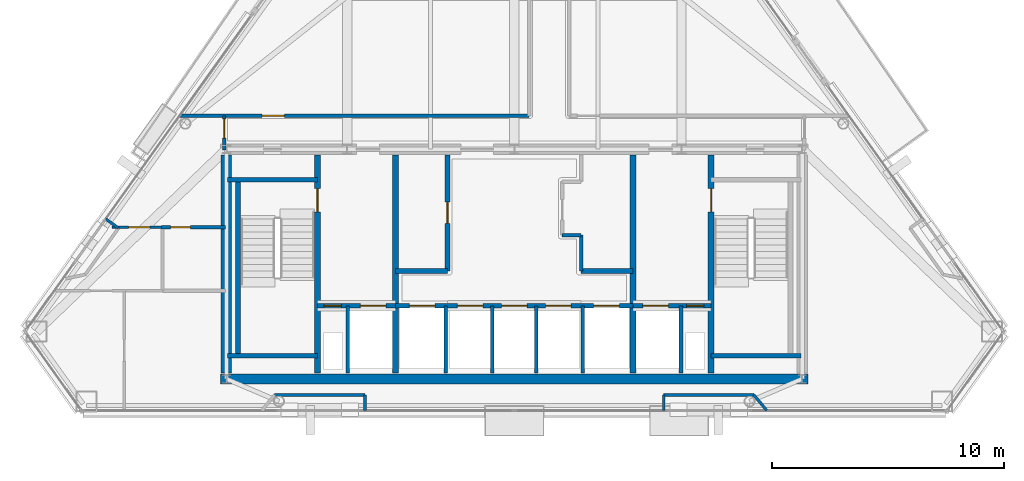
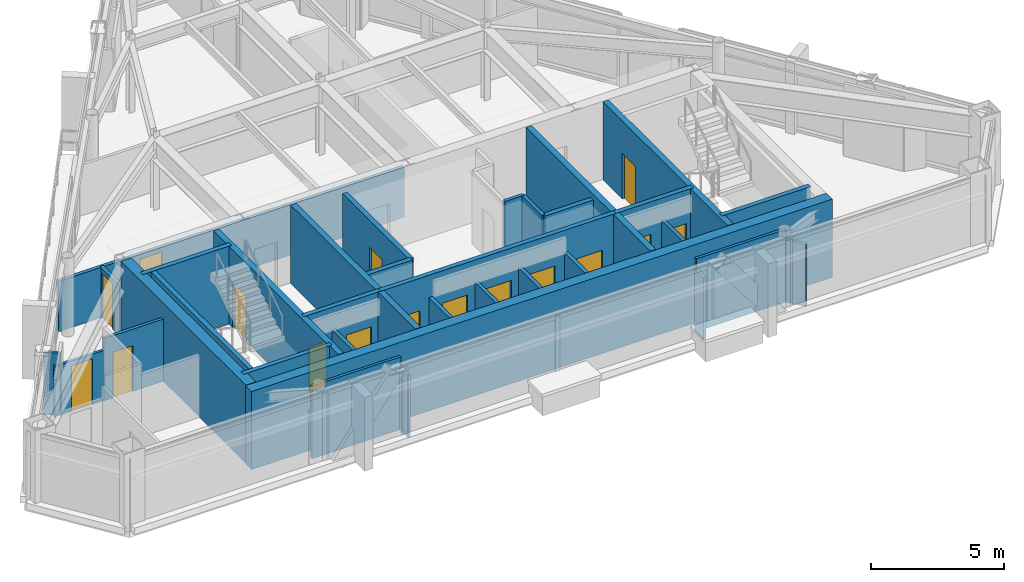
# One storey, part 8 of 12: 34 walls, 16 doors, 16 openings.
"""IFC4 building model written with IfcOpenShell, lengths in metres."""

from ifc_helpers import new_model, si_unit, direction, frame, frame_2d, origin, place, context, subcontext, project, spatial, rectangle, extrude, material, layer, layer_set, type_object, element, fill, save


model = new_model("IFC4")

# Units and contexts
model_context = context("Model", 3, precision=1e-05, world=origin(), true_north=direction((0.0, 1.0)))
body_context = subcontext(model_context, "Body", "Model", "MODEL_VIEW")
ifc_project = project(units=[si_unit("LENGTHUNIT", "METRE"), si_unit("AREAUNIT", "SQUARE_METRE"), si_unit("VOLUMEUNIT", "CUBIC_METRE"), si_unit("PLANEANGLEUNIT", "RADIAN"), si_unit("MASSUNIT", "GRAM", prefix="KILO")], contexts=[model_context])

# Site, building, storey
site_placement = place(None, origin())
site = spatial("IfcSite", under=ifc_project, at=site_placement, CompositionType="ELEMENT")
building_placement = place(site_placement, origin())
building = spatial("IfcBuilding", under=site, at=building_placement, Name="Talgorran Terracotta Tower", CompositionType="ELEMENT")
storey_placement = place(building_placement, frame((0.0, 0.0, 252.60009765625)))
storey = spatial("IfcBuildingStorey", under=building, at=storey_placement, Name="L66", CompositionType="ELEMENT", Elevation=252.60009765625)

# Walls
ifc_material_1 = material(Name="Concrete C50/60", Category="concrete")
ifc_layer_1 = layer(ifc_material_1, 0.199951171875, Name="WT_CORE_200")
ifc_layer_set_1 = layer_set([ifc_layer_1], Name="Concrete C50/60")
wall_type_1 = type_object("IfcWallType", Name="WT_CORE_200", PredefinedType="SOLIDWALL", material=ifc_layer_set_1)
for number, where, z_axis, x_axis, name in (
    (1, (-12.35009765625, -5.52001953125, 0.0), (0.0, 0.0, 1.0), (1.0, 0.0, 0.0), "WL-L66-CW-ST1-N"),
    (2, (-12.35009765625, -13.10009765625, 0.0), (0.0, 0.0, 1.0), (1.0, 0.0, 0.0), "WL-L66-CW-ST1-S"),
):
    element("IfcWall", number, at=place(storey_placement, frame(where, z_axis=z_axis, x_axis=x_axis)), inside=storey, type_object=wall_type_1, Name=name, PredefinedType="SOLIDWALL", context=body_context, shape_type="SweptSolid", body=[
        extrude(rectangle(XDim=3.8701171875, YDim=0.199951171875, at=frame_2d((1.93505859375, 0.0))), origin(), (0.0, 0.0, 1.0), 3.599853515625),
    ])
wall_1_placement = place(storey_placement, frame((-11.89990234375, -13.10009765625, 0.0), z_axis=(0.0, 0.0, 1.0), x_axis=(0.0, 1.0, 0.0)))
element("IfcWall", 3, at=wall_1_placement, inside=storey, type_object=wall_type_1, Name="WL-L66-CW-ST1-W", PredefinedType="SOLIDWALL", context=body_context, shape_type="SweptSolid", body=[
    extrude(rectangle(XDim=7.580078125, YDim=0.199951171875, at=frame_2d((3.7900390625, 0.0))), origin(), (0.0, 0.0, 1.0), 3.599853515625),
])
wall_2_placement = place(storey_placement, frame((8.47998046875, -13.10009765625, 0.0), z_axis=(0.0, 0.0, 1.0), x_axis=(1.0, 0.0, 0.0)))
element("IfcWall", 4, at=wall_2_placement, inside=storey, type_object=wall_type_1, Name="WL-L66-CW-ST2-S", PredefinedType="SOLIDWALL", context=body_context, shape_type="SweptSolid", body=[
    extrude(rectangle(XDim=3.8701171875, YDim=0.199951171875, at=frame_2d((1.93505859375, 0.0))), origin(), (0.0, 0.0, 1.0), 3.599853515625),
])

# Wall, openings, doors
wall_3_placement = place(storey_placement, frame((-8.47998046875, -10.949951171875, 0.0), z_axis=(0.0, 0.0, 1.0), x_axis=(1.0, 0.0, 0.0)))
wall_3 = element("IfcWall", 5, at=wall_3_placement, inside=storey, type_object=wall_type_1, Name="WL-L66-CW-H-SBW", PredefinedType="SOLIDWALL", context=body_context, shape_type="SweptSolid", body=[
    extrude(rectangle(XDim=3.35986328125, YDim=0.199951171875, at=frame_2d((1.679931640625, 0.0))), origin(), (0.0, 0.0, 1.0), 3.599853515625),
])
opening_1_placement = place(wall_3_placement, frame((0.280029296875, 0.0, 0.0)))
opening_1 = element("IfcOpeningElement", 6, at=opening_1_placement, cuts=wall_3, Name="Opening DR-RSW", PredefinedType="OPENING", context=body_context, shape_type="SweptSolid", body=[
    extrude(rectangle(XDim=0.756, YDim=2.054048828125, at=frame_2d((0.375, 1.027099609375))), frame((0.0, 0.10986328125, 0.0), z_axis=(0.0, -1.0, 0.0), x_axis=(1.0, 0.0, 0.0)), (0.0, 0.0, 1.0), 0.219970703125),
])
opening_2_placement = place(wall_3_placement, frame((1.85009765625, 0.0, 0.0)))
opening_2 = element("IfcOpeningElement", 7, at=opening_2_placement, cuts=wall_3, Name="Opening LD-FFL1", PredefinedType="OPENING", context=body_context, shape_type="SweptSolid", body=[
    extrude(rectangle(XDim=1.10609765625, YDim=2.10409765625, at=frame_2d((0.550048828125, 1.052001953125))), frame((0.0, 0.10986328125, 0.0), z_axis=(0.0, -1.0, 0.0), x_axis=(1.0, 0.0, 0.0)), (0.0, 0.0, 1.0), 0.219970703125),
])
ifc_material_2 = material(Name="Brushed Stainless Steel Grade 304", Category="steel")
door_type_1 = type_object("IfcDoorType", Name="DT_LIFT_LD1100", OperationType="DOUBLE_DOOR_SLIDING", PredefinedType="DOOR", material=ifc_material_2)
door_1_placement = place(opening_2_placement, origin())
door_1 = element("IfcDoor", 8, at=door_1_placement, inside=storey, type_object=door_type_1, Name="L66 Lift Landing Door LD-FFL1", OperationType="DOUBLE_DOOR_SLIDING", OverallHeight=2.10009765625, OverallWidth=1.10009765625, PredefinedType="DOOR", context=body_context, shape_type="SweptSolid", body=[
    extrude(rectangle(XDim=1.10009765625, YDim=2.10009765625, at=frame_2d((0.550048828125, 1.050048828125))), frame((0.0, 0.02490234375, 0.0), z_axis=(0.0, -1.0, 0.0), x_axis=(1.0, 0.0, 0.0)), (0.0, 0.0, 1.0), 0.050048828125),
])
fill(opening_2, door_1)
ifc_material_3 = material(Name="Fire-Rated Pressed Steel", Category="steel")
door_type_2 = type_object("IfcDoorType", Name="DT_RISER_750", OperationType="NOTDEFINED", PredefinedType="DOOR", material=ifc_material_3)
door_2_placement = place(opening_1_placement, origin())
door_2 = element("IfcDoor", 9, at=door_2_placement, inside=storey, type_object=door_type_2, Name="DR-RSW", OperationType="SINGLE_SWING_LEFT", OverallHeight=2.050048828125, OverallWidth=0.75, PredefinedType="DOOR", context=body_context, shape_type="SweptSolid", body=[
    extrude(rectangle(XDim=0.75, YDim=2.050048828125, at=frame_2d((0.375, 1.02490234375))), frame((0.0, 0.02490234375, 0.0), z_axis=(0.0, -1.0, 0.0), x_axis=(1.0, 0.0, 0.0)), (0.0, 0.0, 1.0), 0.050048828125),
])
fill(opening_1, door_2)

wall_4_placement = place(storey_placement, frame((-5.1201171875, -10.949951171875, 0.0), z_axis=(0.0, 0.0, 1.0), x_axis=(1.0, 0.0, 0.0)))
wall_4 = element("IfcWall", 10, at=wall_4_placement, inside=storey, type_object=wall_type_1, Name="WL-L66-CW-H-SBC", PredefinedType="SOLIDWALL", context=body_context, shape_type="SweptSolid", body=[
    extrude(rectangle(XDim=10.240234375, YDim=0.199951171875, at=frame_2d((5.1201171875, 0.0))), origin(), (0.0, 0.0, 1.0), 3.599853515625),
])
opening_3_placement = place(wall_4_placement, frame((0.60009765625, 0.0, 0.0)))
opening_3 = element("IfcOpeningElement", 11, at=opening_3_placement, cuts=wall_4, Name="Opening LD-OB1", PredefinedType="OPENING", context=body_context, shape_type="SweptSolid", body=[
    extrude(rectangle(XDim=1.10609765625, YDim=2.10409765625, at=frame_2d((0.550048828125, 1.052001953125))), frame((0.0, 0.10986328125, 0.0), z_axis=(0.0, -1.0, 0.0), x_axis=(1.0, 0.0, 0.0)), (0.0, 0.0, 1.0), 0.219970703125),
])
opening_4_placement = place(wall_4_placement, frame((2.669921875, 0.0, 0.0)))
opening_4 = element("IfcOpeningElement", 12, at=opening_4_placement, cuts=wall_4, Name="Opening LD-PLH1", PredefinedType="OPENING", context=body_context, shape_type="SweptSolid", body=[
    extrude(rectangle(XDim=1.10609765625, YDim=2.10409765625, at=frame_2d((0.550048828125, 1.052001953125))), frame((0.0, 0.10986328125, 0.0), z_axis=(0.0, -1.0, 0.0), x_axis=(1.0, 0.0, 0.0)), (0.0, 0.0, 1.0), 0.219970703125),
])
opening_5_placement = place(wall_4_placement, frame((4.570068359375, 0.0, 0.0)))
opening_5 = element("IfcOpeningElement", 13, at=opening_5_placement, cuts=wall_4, Name="Opening LD-PLH2", PredefinedType="OPENING", context=body_context, shape_type="SweptSolid", body=[
    extrude(rectangle(XDim=1.10609765625, YDim=2.10409765625, at=frame_2d((0.550048828125, 1.052001953125))), frame((0.0, 0.10986328125, 0.0), z_axis=(0.0, -1.0, 0.0), x_axis=(1.0, 0.0, 0.0)), (0.0, 0.0, 1.0), 0.219970703125),
])
opening_6_placement = place(wall_4_placement, frame((6.469970703125, 0.0, 0.0)))
opening_6 = element("IfcOpeningElement", 14, at=opening_6_placement, cuts=wall_4, Name="Opening LD-PLH3", PredefinedType="OPENING", context=body_context, shape_type="SweptSolid", body=[
    extrude(rectangle(XDim=1.10609765625, YDim=2.10409765625, at=frame_2d((0.550048828125, 1.052001953125))), frame((0.0, 0.10986328125, 0.0), z_axis=(0.0, -1.0, 0.0), x_axis=(1.0, 0.0, 0.0)), (0.0, 0.0, 1.0), 0.219970703125),
])
opening_7_placement = place(wall_4_placement, frame((8.5400390625, 0.0, 0.0)))
opening_7 = element("IfcOpeningElement", 15, at=opening_7_placement, cuts=wall_4, Name="Opening LD-SVL1", PredefinedType="OPENING", context=body_context, shape_type="SweptSolid", body=[
    extrude(rectangle(XDim=1.10609765625, YDim=2.10409765625, at=frame_2d((0.550048828125, 1.052001953125))), frame((0.0, 0.10986328125, 0.0), z_axis=(0.0, -1.0, 0.0), x_axis=(1.0, 0.0, 0.0)), (0.0, 0.0, 1.0), 0.219970703125),
])
door_3_placement = place(opening_3_placement, origin())
door_3 = element("IfcDoor", 16, at=door_3_placement, inside=storey, type_object=door_type_1, Name="L66 Lift Landing Door LD-OB1", OperationType="DOUBLE_DOOR_SLIDING", OverallHeight=2.10009765625, OverallWidth=1.10009765625, PredefinedType="DOOR", context=body_context, shape_type="SweptSolid", body=[
    extrude(rectangle(XDim=1.10009765625, YDim=2.10009765625, at=frame_2d((0.550048828125, 1.050048828125))), frame((0.0, 0.02490234375, 0.0), z_axis=(0.0, -1.0, 0.0), x_axis=(1.0, 0.0, 0.0)), (0.0, 0.0, 1.0), 0.050048828125),
])
fill(opening_3, door_3)
door_4_placement = place(opening_4_placement, origin())
door_4 = element("IfcDoor", 17, at=door_4_placement, inside=storey, type_object=door_type_1, Name="L66 Lift Landing Door LD-PLH1", OperationType="DOUBLE_DOOR_SLIDING", OverallHeight=2.10009765625, OverallWidth=1.10009765625, PredefinedType="DOOR", context=body_context, shape_type="SweptSolid", body=[
    extrude(rectangle(XDim=1.10009765625, YDim=2.10009765625, at=frame_2d((0.550048828125, 1.050048828125))), frame((0.0, 0.02490234375, 0.0), z_axis=(0.0, -1.0, 0.0), x_axis=(1.0, 0.0, 0.0)), (0.0, 0.0, 1.0), 0.050048828125),
])
fill(opening_4, door_4)
door_5_placement = place(opening_5_placement, origin())
door_5 = element("IfcDoor", 18, at=door_5_placement, inside=storey, type_object=door_type_1, Name="L66 Lift Landing Door LD-PLH2", OperationType="DOUBLE_DOOR_SLIDING", OverallHeight=2.10009765625, OverallWidth=1.10009765625, PredefinedType="DOOR", context=body_context, shape_type="SweptSolid", body=[
    extrude(rectangle(XDim=1.10009765625, YDim=2.10009765625, at=frame_2d((0.550048828125, 1.050048828125))), frame((0.0, 0.02490234375, 0.0), z_axis=(0.0, -1.0, 0.0), x_axis=(1.0, 0.0, 0.0)), (0.0, 0.0, 1.0), 0.050048828125),
])
fill(opening_5, door_5)
door_6_placement = place(opening_6_placement, origin())
door_6 = element("IfcDoor", 19, at=door_6_placement, inside=storey, type_object=door_type_1, Name="L66 Lift Landing Door LD-PLH3", OperationType="DOUBLE_DOOR_SLIDING", OverallHeight=2.10009765625, OverallWidth=1.10009765625, PredefinedType="DOOR", context=body_context, shape_type="SweptSolid", body=[
    extrude(rectangle(XDim=1.10009765625, YDim=2.10009765625, at=frame_2d((0.550048828125, 1.050048828125))), frame((0.0, 0.02490234375, 0.0), z_axis=(0.0, -1.0, 0.0), x_axis=(1.0, 0.0, 0.0)), (0.0, 0.0, 1.0), 0.050048828125),
])
fill(opening_6, door_6)
door_7_placement = place(opening_7_placement, origin())
door_7 = element("IfcDoor", 20, at=door_7_placement, inside=storey, type_object=door_type_1, Name="L66 Lift Landing Door LD-SVL1", OperationType="DOUBLE_DOOR_SLIDING", OverallHeight=2.10009765625, OverallWidth=1.10009765625, PredefinedType="DOOR", context=body_context, shape_type="SweptSolid", body=[
    extrude(rectangle(XDim=1.10009765625, YDim=2.10009765625, at=frame_2d((0.550048828125, 1.050048828125))), frame((0.0, 0.02490234375, 0.0), z_axis=(0.0, -1.0, 0.0), x_axis=(1.0, 0.0, 0.0)), (0.0, 0.0, 1.0), 0.050048828125),
])
fill(opening_7, door_7)

wall_5_placement = place(storey_placement, frame((5.1201171875, -10.949951171875, 0.0), z_axis=(0.0, 0.0, 1.0), x_axis=(1.0, 0.0, 0.0)))
wall_5 = element("IfcWall", 21, at=wall_5_placement, inside=storey, type_object=wall_type_1, Name="WL-L66-CW-H-SBE", PredefinedType="SOLIDWALL", context=body_context, shape_type="SweptSolid", body=[
    extrude(rectangle(XDim=3.35986328125, YDim=0.199951171875, at=frame_2d((1.679931640625, 0.0))), origin(), (0.0, 0.0, 1.0), 3.599853515625),
])
opening_8_placement = place(wall_5_placement, frame((0.419921875, 0.0, 0.0)))
opening_8 = element("IfcOpeningElement", 22, at=opening_8_placement, cuts=wall_5, Name="Opening LD-FFL2", PredefinedType="OPENING", context=body_context, shape_type="SweptSolid", body=[
    extrude(rectangle(XDim=1.10609765625, YDim=2.10409765625, at=frame_2d((0.550048828125, 1.052001953125))), frame((0.0, 0.10986328125, 0.0), z_axis=(0.0, -1.0, 0.0), x_axis=(1.0, 0.0, 0.0)), (0.0, 0.0, 1.0), 0.219970703125),
])
opening_9_placement = place(wall_5_placement, frame((2.300048828125, 0.0, 0.0)))
opening_9 = element("IfcOpeningElement", 23, at=opening_9_placement, cuts=wall_5, Name="Opening DR-RSE", PredefinedType="OPENING", context=body_context, shape_type="SweptSolid", body=[
    extrude(rectangle(XDim=0.756, YDim=2.054048828125, at=frame_2d((0.375, 1.027099609375))), frame((0.0, 0.10986328125, 0.0), z_axis=(0.0, -1.0, 0.0), x_axis=(1.0, 0.0, 0.0)), (0.0, 0.0, 1.0), 0.219970703125),
])
door_8_placement = place(opening_8_placement, origin())
door_8 = element("IfcDoor", 24, at=door_8_placement, inside=storey, type_object=door_type_1, Name="L66 Lift Landing Door LD-FFL2", OperationType="DOUBLE_DOOR_SLIDING", OverallHeight=2.10009765625, OverallWidth=1.10009765625, PredefinedType="DOOR", context=body_context, shape_type="SweptSolid", body=[
    extrude(rectangle(XDim=1.10009765625, YDim=2.10009765625, at=frame_2d((0.550048828125, 1.050048828125))), frame((0.0, 0.02490234375, 0.0), z_axis=(0.0, -1.0, 0.0), x_axis=(1.0, 0.0, 0.0)), (0.0, 0.0, 1.0), 0.050048828125),
])
fill(opening_8, door_8)
door_9_placement = place(opening_9_placement, origin())
door_9 = element("IfcDoor", 25, at=door_9_placement, inside=storey, type_object=door_type_2, Name="DR-RSE", OperationType="SINGLE_SWING_RIGHT", OverallHeight=2.050048828125, OverallWidth=0.75, PredefinedType="DOOR", context=body_context, shape_type="SweptSolid", body=[
    extrude(rectangle(XDim=0.75, YDim=2.050048828125, at=frame_2d((0.375, 1.02490234375))), frame((0.0, 0.02490234375, 0.0), z_axis=(0.0, -1.0, 0.0), x_axis=(1.0, 0.0, 0.0)), (0.0, 0.0, 1.0), 0.050048828125),
])
fill(opening_9, door_9)

# Wall, opening, door
wall_6_placement = place(storey_placement, frame((-2.8798828125, -9.449951171875, 0.0), z_axis=(0.0, 0.0, 1.0), x_axis=(0.0, 1.0, 0.0)))
wall_6 = element("IfcWall", 26, at=wall_6_placement, inside=storey, type_object=wall_type_1, Name="WL-L66-CW-V-W3", PredefinedType="SOLIDWALL", context=body_context, shape_type="SweptSolid", body=[
    extrude(rectangle(XDim=5.0, YDim=0.199951171875, at=frame_2d((2.5, 0.0))), origin(), (0.0, 0.0, 1.0), 3.344970703125),
])
opening_10_placement = place(wall_6_placement, frame((2.050048828125, 0.0, 0.0)))
opening_10 = element("IfcOpeningElement", 27, at=opening_10_placement, cuts=wall_6, Name="Opening DR-FRPLL-A", PredefinedType="OPENING", context=body_context, shape_type="SweptSolid", body=[
    extrude(rectangle(XDim=0.925921875, YDim=2.10409765625, at=frame_2d((0.4599609375, 1.052001953125))), frame((0.0, 0.10986328125, 0.0), z_axis=(0.0, -1.0, 0.0), x_axis=(1.0, 0.0, 0.0)), (0.0, 0.0, 1.0), 0.219970703125),
])
ifc_material_4 = material(Name="Solid-Core Painted Timber", Category="wood")
door_type_3 = type_object("IfcDoorType", Name="DT_INT_920", OperationType="NOTDEFINED", PredefinedType="DOOR", material=ifc_material_4)
door_10_placement = place(opening_10_placement, origin())
door_10 = element("IfcDoor", 28, at=door_10_placement, inside=storey, type_object=door_type_3, Name="DR-FRPLL-A", OperationType="SINGLE_SWING_LEFT", OverallHeight=2.10009765625, OverallWidth=0.919921875, PredefinedType="DOOR", context=body_context, shape_type="SweptSolid", body=[
    extrude(rectangle(XDim=0.919921875, YDim=2.10009765625, at=frame_2d((0.4599609375, 1.050048828125))), frame((0.0, 0.02490234375, 0.0), z_axis=(0.0, -1.0, 0.0), x_axis=(1.0, 0.0, 0.0)), (0.0, 0.0, 1.0), 0.050048828125),
])
fill(opening_10, door_10)

# Walls
for number, where, z_axis, x_axis, name in (
    (29, (-5.1201171875, -9.449951171875, 0.0), (0.0, 0.0, 1.0), (1.0, 0.0, 0.0), "WL-L66-CW-H-W4"),
    (30, (2.8798828125, -9.449951171875, 0.0), (0.0, 0.0, 1.0), (1.0, 0.0, 0.0), "WL-L66-CW-H-E4"),
):
    element("IfcWall", number, at=place(storey_placement, frame(where, z_axis=z_axis, x_axis=x_axis)), inside=storey, type_object=wall_type_1, Name=name, PredefinedType="SOLIDWALL", context=body_context, shape_type="SweptSolid", body=[
        extrude(rectangle(XDim=2.240234375, YDim=0.199951171875, at=frame_2d((1.1201171875, 0.0))), origin(), (0.0, 0.0, 1.0), 3.344970703125),
    ])

# Wall, opening, door
ifc_layer_2 = layer(ifc_material_1, 0.25, Name="WT_CORE_250")
ifc_layer_set_2 = layer_set([ifc_layer_2], Name="Concrete C50/60")
wall_type_2 = type_object("IfcWallType", Name="WT_CORE_250", PredefinedType="SHEAR", material=ifc_layer_set_2)
wall_7_placement = place(storey_placement, frame((-8.47998046875, -13.85009765625, 0.0), z_axis=(0.0, 0.0, 1.0), x_axis=(0.0, 1.0, 0.0)))
wall_7 = element("IfcWall", 31, at=wall_7_placement, inside=storey, type_object=wall_type_2, Name="WL-L66-CW-V-W1", PredefinedType="SHEAR", context=body_context, shape_type="SweptSolid", body=[
    extrude(rectangle(XDim=9.400146484375, YDim=0.25, at=frame_2d((4.7001953125, 0.0))), origin(), (0.0, 0.0, 1.0), 3.599853515625),
])
opening_11_placement = place(wall_7_placement, frame((6.949951171875, 0.0, 0.0)))
opening_11 = element("IfcOpeningElement", 32, at=opening_11_placement, cuts=wall_7, Name="Opening DR-ST01", PredefinedType="OPENING", context=body_context, shape_type="SweptSolid", body=[
    extrude(rectangle(XDim=1.006, YDim=2.10409765625, at=frame_2d((0.5, 1.052001953125))), frame((0.0, 0.135009765625, 0.0), z_axis=(0.0, -1.0, 0.0), x_axis=(1.0, 0.0, 0.0)), (0.0, 0.0, 1.0), 0.27001953125),
])
door_type_4 = type_object("IfcDoorType", Name="DT_FIRE_1000", OperationType="NOTDEFINED", PredefinedType="DOOR", material=ifc_material_3)
door_11_placement = place(opening_11_placement, origin())
door_11 = element("IfcDoor", 33, at=door_11_placement, inside=storey, type_object=door_type_4, Name="DR-ST01", OperationType="SINGLE_SWING_LEFT", OverallHeight=2.10009765625, OverallWidth=1.0, PredefinedType="DOOR", context=body_context, shape_type="SweptSolid", body=[
    extrude(rectangle(XDim=1.0, YDim=2.10009765625, at=frame_2d((0.5, 1.050048828125))), frame((0.0, 0.02490234375, 0.0), z_axis=(0.0, -1.0, 0.0), x_axis=(1.0, 0.0, 0.0)), (0.0, 0.0, 1.0), 0.050048828125),
])
fill(opening_11, door_11)

wall_8_placement = place(storey_placement, frame((8.47998046875, -13.85009765625, 0.0), z_axis=(0.0, 0.0, 1.0), x_axis=(0.0, 1.0, 0.0)))
wall_8 = element("IfcWall", 34, at=wall_8_placement, inside=storey, type_object=wall_type_2, Name="WL-L66-CW-V-E1", PredefinedType="SHEAR", context=body_context, shape_type="SweptSolid", body=[
    extrude(rectangle(XDim=9.400146484375, YDim=0.25, at=frame_2d((4.7001953125, 0.0))), origin(), (0.0, 0.0, 1.0), 3.599853515625),
])
opening_12_placement = place(wall_8_placement, frame((6.949951171875, 0.0, 0.0)))
opening_12 = element("IfcOpeningElement", 35, at=opening_12_placement, cuts=wall_8, Name="Opening DR-ST02", PredefinedType="OPENING", context=body_context, shape_type="SweptSolid", body=[
    extrude(rectangle(XDim=1.006, YDim=2.10409765625, at=frame_2d((0.5, 1.052001953125))), frame((0.0, 0.135009765625, 0.0), z_axis=(0.0, -1.0, 0.0), x_axis=(1.0, 0.0, 0.0)), (0.0, 0.0, 1.0), 0.27001953125),
])
door_12_placement = place(opening_12_placement, origin())
door_12 = element("IfcDoor", 36, at=door_12_placement, inside=storey, type_object=door_type_4, Name="DR-ST02", OperationType="SINGLE_SWING_RIGHT", OverallHeight=2.10009765625, OverallWidth=1.0, PredefinedType="DOOR", context=body_context, shape_type="SweptSolid", body=[
    extrude(rectangle(XDim=1.0, YDim=2.10009765625, at=frame_2d((0.5, 1.050048828125))), frame((0.0, 0.02490234375, 0.0), z_axis=(0.0, -1.0, 0.0), x_axis=(1.0, 0.0, 0.0)), (0.0, 0.0, 1.0), 0.050048828125),
])
fill(opening_12, door_12)

# Walls
for number, where, z_axis, x_axis, name in (
    (37, (-5.1201171875, -13.85009765625, 0.0), (0.0, 0.0, 1.0), (0.0, 1.0, 0.0), "WL-L66-CW-V-W2"),
    (38, (5.1201171875, -13.85009765625, 0.0), (0.0, 0.0, 1.0), (0.0, 1.0, 0.0), "WL-L66-CW-V-E2"),
):
    element("IfcWall", number, at=place(storey_placement, frame(where, z_axis=z_axis, x_axis=x_axis)), inside=storey, type_object=wall_type_2, Name=name, PredefinedType="SHEAR", context=body_context, shape_type="SweptSolid", body=[
        extrude(rectangle(XDim=9.400146484375, YDim=0.25, at=frame_2d((4.7001953125, 0.0))), origin(), (0.0, 0.0, 1.0), 3.599853515625),
    ])
ifc_material_5 = material(Name="Concrete C65/80", Category="concrete")
ifc_layer_3 = layer(ifc_material_5, 0.449951171875, Name="WT_CORE_EXT")
ifc_layer_set_3 = layer_set([ifc_layer_3], Name="Concrete C65/80")
wall_type_3 = type_object("IfcWallType", Name="WT_CORE_EXT", PredefinedType="SHEAR", material=ifc_layer_set_3)
wall_9_placement = place(storey_placement, frame((-12.64990234375, -14.10009765625, 0.0), z_axis=(0.0, 0.0, 1.0), x_axis=(1.0, 0.0, 0.0)))
element("IfcWall", 39, at=wall_9_placement, inside=storey, type_object=wall_type_3, Name="WL-L66-CW-OUT-S", PredefinedType="SHEAR", context=body_context, shape_type="SweptSolid", body=[
    extrude(rectangle(XDim=25.2998046875, YDim=0.449951171875, at=frame_2d((12.64990234375, 0.0))), origin(), (0.0, 0.0, 1.0), 3.599853515625),
])
wall_10_placement = place(storey_placement, frame((-12.39990234375, -13.85009765625, 0.0), z_axis=(0.0, 0.0, 1.0), x_axis=(0.0, 1.0, 0.0)))
element("IfcWall", 40, at=wall_10_placement, inside=storey, type_object=wall_type_3, Name="WL-L66-CW-OUT-W", PredefinedType="SHEAR", context=body_context, shape_type="SweptSolid", body=[
    extrude(rectangle(XDim=9.400146484375, YDim=0.449951171875, at=frame_2d((4.7001953125, 0.0))), origin(), (0.0, 0.0, 1.0), 3.599853515625),
])
ifc_material_6 = material(Name="Fire-Rated Steel Stud Plasterboard", Category="steel")
ifc_layer_4 = layer(ifc_material_6, 0.14990234375, Name="WT_FIRE_150")
ifc_layer_set_4 = layer_set([ifc_layer_4], Name="Fire-Rated Steel Stud Plasterboard")
wall_type_4 = type_object("IfcWallType", Name="WT_FIRE_150", PredefinedType="PARTITIONING", material=ifc_layer_set_4)
wall_11_placement = place(storey_placement, frame((2.8798828125, -9.449951171875, 0.0), z_axis=(0.0, 0.0, 1.0), x_axis=(0.0, 1.0, 0.0)))
element("IfcWall", 41, at=wall_11_placement, inside=storey, type_object=wall_type_4, Name="WL-L66-CW-V-E3A", PredefinedType="PARTITIONING", context=body_context, shape_type="SweptSolid", body=[
    extrude(rectangle(XDim=1.550048828125, YDim=0.14990234375, at=frame_2d((0.77490234375, 0.0))), origin(), (0.0, 0.0, 1.0), 3.344970703125),
])
wall_12_placement = place(storey_placement, frame((2.06005859375, -7.89990234375, 0.0), z_axis=(0.0, 0.0, 1.0), x_axis=(1.0, 0.0, 0.0)))
element("IfcWall", 42, at=wall_12_placement, inside=storey, type_object=wall_type_4, Name="WL-L66-CW-H-E3B", PredefinedType="PARTITIONING", context=body_context, shape_type="SweptSolid", body=[
    extrude(rectangle(XDim=0.81982421875, YDim=0.14990234375, at=frame_2d((0.409912109375, 0.0))), origin(), (0.0, 0.0, 1.0), 3.344970703125),
])

# Wall, opening, door
wall_13_placement = place(storey_placement, frame((-14.419921875, -2.760009765625, 0.0), z_axis=(0.0, 0.0, 1.0), x_axis=(1.0, 0.0, 0.0)))
wall_13 = element("IfcWall", 43, at=wall_13_placement, inside=storey, type_object=wall_type_4, Name="WL-L66-W-L66-R08", PredefinedType="PARTITIONING", context=body_context, shape_type="SweptSolid", body=[
    extrude(rectangle(XDim=15.059814453125, YDim=0.14990234375, at=frame_2d((7.52978515625, 0.0))), origin(), (0.0, 0.0, 1.0), 2.31982421875),
])
opening_13_placement = place(wall_13_placement, frame((3.55859375, 0.0, 0.0)))
opening_13 = element("IfcOpeningElement", 44, at=opening_13_placement, cuts=wall_13, Name="Opening DR-L66-R10", PredefinedType="OPENING", context=body_context, shape_type="SweptSolid", body=[
    extrude(rectangle(XDim=0.955951171875, YDim=2.10409765625, at=frame_2d((0.47509765625, 1.052001953125))), frame((0.0, 0.0849609375, 0.0), z_axis=(0.0, -1.0, 0.0), x_axis=(1.0, 0.0, 0.0)), (0.0, 0.0, 1.0), 0.169921875),
])
ifc_material_7 = material(Name="Fire-Rated Timber Core", Category="wood")
door_type_5 = type_object("IfcDoorType", Name="DT_FIRE_950", OperationType="NOTDEFINED", PredefinedType="DOOR", material=ifc_material_7)
door_13_placement = place(opening_13_placement, origin())
door_13 = element("IfcDoor", 45, at=door_13_placement, inside=storey, type_object=door_type_5, Name="DR-L66-R10", OperationType="SINGLE_SWING_RIGHT", OverallHeight=2.10009765625, OverallWidth=0.949951171875, PredefinedType="DOOR", context=body_context, shape_type="SweptSolid", body=[
    extrude(rectangle(XDim=0.949951171875, YDim=2.10009765625, at=frame_2d((0.47509765625, 1.050048828125))), frame((0.0, 0.02490234375, 0.0), z_axis=(0.0, -1.0, 0.0), x_axis=(1.0, 0.0, 0.0)), (0.0, 0.0, 1.0), 0.050048828125),
])
fill(opening_13, door_13)

wall_14_placement = place(storey_placement, frame((-12.5, -4.239990234375, 0.0), z_axis=(0.0, 0.0, 1.0), x_axis=(0.0, 1.0, 0.0)))
wall_14 = element("IfcWall", 46, at=wall_14_placement, inside=storey, type_object=wall_type_4, Name="WL-L66-W-L66-R01", PredefinedType="PARTITIONING", context=body_context, shape_type="SweptSolid", body=[
    extrude(rectangle(XDim=1.47998046875, YDim=0.14990234375, at=frame_2d((0.739990234375, 0.0))), origin(), (0.0, 0.0, 1.0), 2.31982421875),
])
opening_14_placement = place(wall_14_placement, frame((0.521728515625, 0.0, 0.0)))
opening_14 = element("IfcOpeningElement", 47, at=opening_14_placement, cuts=wall_14, Name="Opening DR-L66-R01", PredefinedType="OPENING", context=body_context, shape_type="SweptSolid", body=[
    extrude(rectangle(XDim=0.826068359375, YDim=2.10409765625, at=frame_2d((0.41015625, 1.052001953125))), frame((0.0, 0.0849609375, 0.0), z_axis=(0.0, -1.0, 0.0), x_axis=(1.0, 0.0, 0.0)), (0.0, 0.0, 1.0), 0.169921875),
])
ifc_material_8 = material(Name="Moisture-Resistant Solid Timber", Category="wood")
door_type_6 = type_object("IfcDoorType", Name="DT_INT_820", OperationType="NOTDEFINED", PredefinedType="DOOR", material=ifc_material_8)
door_14_placement = place(opening_14_placement, origin())
door_14 = element("IfcDoor", 48, at=door_14_placement, inside=storey, type_object=door_type_6, Name="DR-L66-R01", OperationType="SINGLE_SWING_LEFT", OverallHeight=2.10009765625, OverallWidth=0.820068359375, PredefinedType="DOOR", context=body_context, shape_type="SweptSolid", body=[
    extrude(rectangle(XDim=0.820068359375, YDim=2.10009765625, at=frame_2d((0.41015625, 1.050048828125))), frame((0.0, 0.02490234375, 0.0), z_axis=(0.0, -1.0, 0.0), x_axis=(1.0, 0.0, 0.0)), (0.0, 0.0, 1.0), 0.050048828125),
])
fill(opening_14, door_14)

# Walls
ifc_material_9 = material(Name="Insulated Steel Stud Plasterboard", Category="steel")
ifc_layer_5 = layer(ifc_material_9, 0.1201171875, Name="WT_PART_120")
ifc_layer_set_5 = layer_set([ifc_layer_5], Name="Insulated Steel Stud Plasterboard")
wall_type_5 = type_object("IfcWallType", Name="WT_PART_120", PredefinedType="PARTITIONING", material=ifc_layer_set_5)
for number, where, z_axis, x_axis, name in (
    (49, (-10.32080078125, -14.783203125, 0.0), (0.0, 0.0, 1.0), (1.0, 0.0, 0.0), "WL-L66-BW-L66-01"),
    (50, (6.4345703125, -14.783203125, 0.0), (0.0, 0.0, 1.0), (1.0, 0.0, 0.0), "WL-L66-BW-L66-06"),
):
    element("IfcWall", number, at=place(storey_placement, frame(where, z_axis=z_axis, x_axis=x_axis)), inside=storey, type_object=wall_type_5, Name=name, PredefinedType="PARTITIONING", context=body_context, shape_type="SweptSolid", body=[
        extrude(rectangle(XDim=3.88623046875, YDim=0.1201171875, at=frame_2d((1.943115234375, 0.0))), origin(), (0.0, 0.0, 1.0), 3.344970703125),
    ])

# Wall, opening, door
wall_15_placement = place(storey_placement, frame((-17.340087890625, -7.56005859375, 0.0), z_axis=(0.0, 0.0, 1.0), x_axis=(1.0, 0.0, 0.0)))
wall_15 = element("IfcWall", 51, at=wall_15_placement, inside=storey, type_object=wall_type_5, Name="WL-L66-W-L66-R11", PredefinedType="PARTITIONING", context=body_context, shape_type="SweptSolid", body=[
    extrude(rectangle(XDim=2.13818359375, YDim=0.1201171875, at=frame_2d((1.069091796875, 0.0))), origin(), (0.0, 0.0, 1.0), 2.31982421875),
])
opening_15_placement = place(wall_15_placement, frame((0.72265625, 0.0, 0.0)))
opening_15 = element("IfcOpeningElement", 52, at=opening_15_placement, cuts=wall_15, Name="Opening DR-L66-R03", PredefinedType="OPENING", context=body_context, shape_type="SweptSolid", body=[
    extrude(rectangle(XDim=0.925921875, YDim=2.10409765625, at=frame_2d((0.4599609375, 1.052001953125))), frame((0.0, 0.070068359375, 0.0), z_axis=(0.0, -1.0, 0.0), x_axis=(1.0, 0.0, 0.0)), (0.0, 0.0, 1.0), 0.14013671875),
])
door_15_placement = place(opening_15_placement, origin())
door_15 = element("IfcDoor", 53, at=door_15_placement, inside=storey, type_object=door_type_3, Name="DR-L66-R03", OperationType="SINGLE_SWING_LEFT", OverallHeight=2.10009765625, OverallWidth=0.919921875, PredefinedType="DOOR", context=body_context, shape_type="SweptSolid", body=[
    extrude(rectangle(XDim=0.919921875, YDim=2.10009765625, at=frame_2d((0.4599609375, 1.050048828125))), frame((0.0, 0.02490234375, 0.0), z_axis=(0.0, -1.0, 0.0), x_axis=(1.0, 0.0, 0.0)), (0.0, 0.0, 1.0), 0.050048828125),
])
fill(opening_15, door_15)

# Walls
wall_16_placement = place(storey_placement, frame((10.32080078125, -14.783203125, 0.0), z_axis=(0.0, 0.0, 1.0), x_axis=(0.636111126851, -0.771597456123, 0.0)))
element("IfcWall", 54, at=wall_16_placement, inside=storey, type_object=wall_type_5, Name="WL-L66-BW-L66-04", PredefinedType="PARTITIONING", context=body_context, shape_type="SweptSolid", body=[
    extrude(rectangle(XDim=0.86865234375, YDim=0.1201171875, at=frame_2d((0.434326171875, 0.0))), origin(), (0.0, 0.0, 1.0), 2.86279296875),
])
wall_17_placement = place(storey_placement, frame((-17.594482421875, -7.210693359375, 0.0), z_axis=(0.0, 0.0, 1.0), x_axis=(0.813142011208, -0.582065348229, 0.0)))
element("IfcWall", 55, at=wall_17_placement, inside=storey, type_object=wall_type_5, Name="WL-L66-BW-L66-07", PredefinedType="PARTITIONING", context=body_context, shape_type="SweptSolid", body=[
    extrude(rectangle(XDim=0.669921875, YDim=0.1201171875, at=frame_2d((0.3349609375, 0.0))), origin(), (0.0, 0.0, 1.0), 2.86279296875),
])
for number, where, z_axis, x_axis, name in (
    (56, (-6.4345703125, -14.783203125, 0.0), (0.0, 0.0, 1.0), (0.0, -1.0, 0.0), "WL-L66-BW-L66-02"),
    (57, (6.4345703125, -15.453369140625, 0.0), (0.0, 0.0, 1.0), (0.0, 1.0, 0.0), "WL-L66-BW-L66-05"),
):
    element("IfcWall", number, at=place(storey_placement, frame(where, z_axis=z_axis, x_axis=x_axis)), inside=storey, type_object=wall_type_5, Name=name, PredefinedType="PARTITIONING", context=body_context, shape_type="SweptSolid", body=[
        extrude(rectangle(XDim=0.670166015625, YDim=0.1201171875, at=frame_2d((0.3349609375, 0.0))), origin(), (0.0, 0.0, 1.0), 2.86279296875),
    ])

# Wall, opening, door
ifc_material_10 = material(Name="Moisture-Resistant Stud Wall")
ifc_layer_6 = layer(ifc_material_10, 0.135009765625, Name="WT_PART_135")
ifc_layer_set_6 = layer_set([ifc_layer_6], Name="Moisture-Resistant Stud Wall")
wall_type_6 = type_object("IfcWallType", Name="WT_PART_135", PredefinedType="PARTITIONING", material=ifc_layer_set_6)
wall_18_placement = place(storey_placement, frame((-15.199951171875, -7.56005859375, 0.0), z_axis=(0.0, 0.0, 1.0), x_axis=(1.0, 0.0, 0.0)))
wall_18 = element("IfcWall", 58, at=wall_18_placement, inside=storey, type_object=wall_type_6, Name="WL-L66-W-L66-R10", PredefinedType="PARTITIONING", context=body_context, shape_type="SweptSolid", body=[
    extrude(rectangle(XDim=2.760009765625, YDim=0.135009765625, at=frame_2d((1.3798828125, 0.0))), origin(), (0.0, 0.0, 1.0), 2.86279296875),
])
opening_16_placement = place(wall_18_placement, frame((0.394287109375, 0.0, 0.0)))
opening_16 = element("IfcOpeningElement", 59, at=opening_16_placement, cuts=wall_18, Name="Opening DR-L66-R02", PredefinedType="OPENING", context=body_context, shape_type="SweptSolid", body=[
    extrude(rectangle(XDim=0.85609765625, YDim=2.10409765625, at=frame_2d((0.425048828125, 1.052001953125))), frame((0.0, 0.07763671875, 0.0), z_axis=(0.0, -1.0, 0.0), x_axis=(1.0, 0.0, 0.0)), (0.0, 0.0, 1.0), 0.155029296875),
])
door_type_7 = type_object("IfcDoorType", Name="DT_INT_850", OperationType="NOTDEFINED", PredefinedType="DOOR", material=ifc_material_8)
door_16_placement = place(opening_16_placement, origin())
door_16 = element("IfcDoor", 60, at=door_16_placement, inside=storey, type_object=door_type_7, Name="DR-L66-R02", OperationType="SINGLE_SWING_RIGHT", OverallHeight=2.10009765625, OverallWidth=0.85009765625, PredefinedType="DOOR", context=body_context, shape_type="SweptSolid", body=[
    extrude(rectangle(XDim=0.85009765625, YDim=2.10009765625, at=frame_2d((0.425048828125, 1.050048828125))), frame((0.0, 0.02490234375, 0.0), z_axis=(0.0, -1.0, 0.0), x_axis=(1.0, 0.0, 0.0)), (0.0, 0.0, 1.0), 0.050048828125),
])
fill(opening_16, door_16)

# Walls
ifc_material_11 = material(Name="Fire-Rated Shaftwall")
ifc_layer_7 = layer(ifc_material_11, 0.159912109375, Name="WT_PART_150")
ifc_layer_set_7 = layer_set([ifc_layer_7], Name="Fire-Rated Shaftwall")
wall_type_7 = type_object("IfcWallType", Name="WT_PART_150", PredefinedType="PARTITIONING", material=ifc_layer_set_7)
for number, where, z_axis, x_axis, name in (
    (61, (-7.179931640625, -13.85009765625, 0.0), (0.0, 0.0, 1.0), (0.0, 1.0, 0.0), "WL-L66-CW-RSW"),
    (62, (7.179931640625, -13.85009765625, 0.0), (0.0, 0.0, 1.0), (0.0, 1.0, 0.0), "WL-L66-CW-RSE"),
    (63, (-2.949951171875, -13.85009765625, 0.0), (0.0, 0.0, 1.0), (0.0, 1.0, 0.0), "WL-L66-CW-OB-E"),
    (64, (2.949951171875, -13.85009765625, 0.0), (0.0, 0.0, 1.0), (0.0, 1.0, 0.0), "WL-L66-CW-SV-W"),
    (65, (-0.949951171875, -13.85009765625, 0.0), (0.0, 0.0, 1.0), (0.0, 1.0, 0.0), "WL-L66-CW-PLH-D1"),
    (66, (0.949951171875, -13.85009765625, 0.0), (0.0, 0.0, 1.0), (0.0, 1.0, 0.0), "WL-L66-CW-PLH-D2"),
):
    element("IfcWall", number, at=place(storey_placement, frame(where, z_axis=z_axis, x_axis=x_axis)), inside=storey, type_object=wall_type_7, Name=name, PredefinedType="PARTITIONING", context=body_context, shape_type="SweptSolid", body=[
        extrude(rectangle(XDim=2.900146484375, YDim=0.159912109375, at=frame_2d((1.4501953125, 0.0))), origin(), (0.0, 0.0, 1.0), 2.56982421875),
    ])

save(model, "model.ifc")
